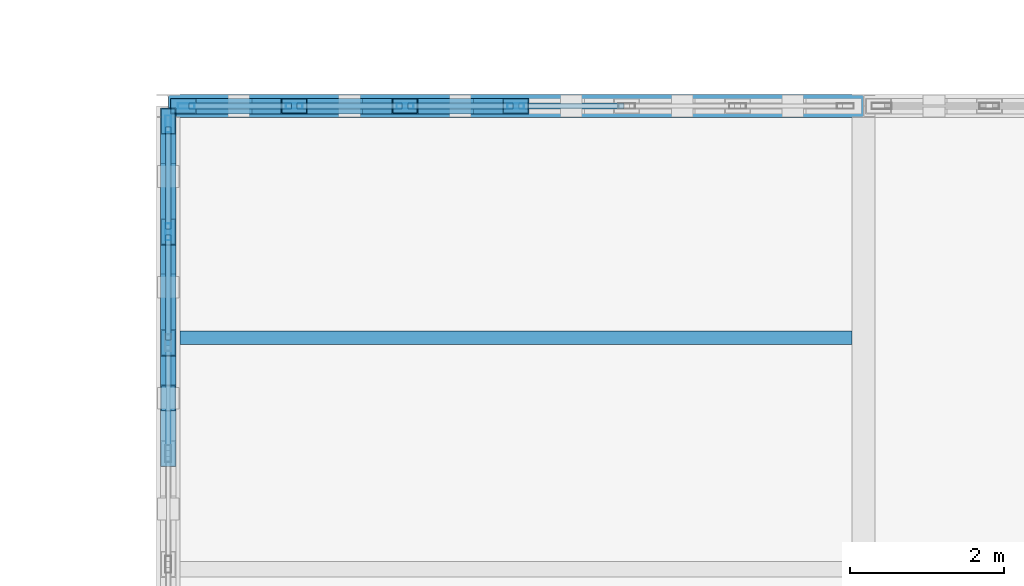
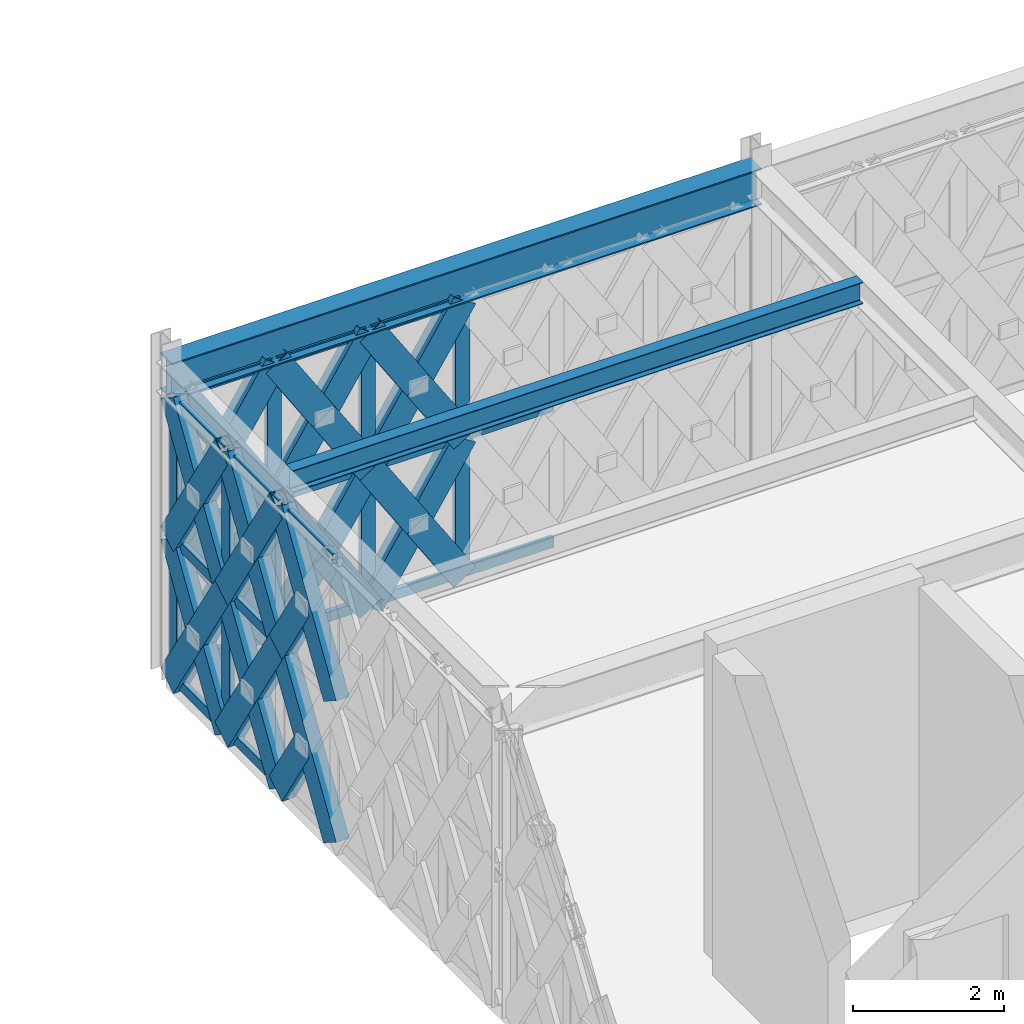
# One storey, part 83 of 155: 58 members, 2 beams, 2 elements without a shape of their own.
"""IFC4 building model written with IfcOpenShell, lengths in metres."""

from ifc_helpers import new_model, si_unit, direction, frame, origin, origin_2d, place, context, subcontext, project, spatial, hollow_rectangle, i_section, extrude, material, material_profile, profile_set, type_object, element, aggregate, save


model = new_model("IFC4")

# Units and contexts
model_context = context("Model", 3, precision=1e-05, world=origin(), true_north=direction((0.0, 1.0)))
body_context = subcontext(model_context, "Body", "Model", "MODEL_VIEW")
ifc_project = project(units=[si_unit("LENGTHUNIT", "METRE"), si_unit("AREAUNIT", "SQUARE_METRE"), si_unit("VOLUMEUNIT", "CUBIC_METRE"), si_unit("PLANEANGLEUNIT", "RADIAN"), si_unit("MASSUNIT", "GRAM", prefix="KILO")], contexts=[model_context])

# Site, building, storey
site_placement = place(None, origin())
site = spatial("IfcSite", under=ifc_project, at=site_placement, CompositionType="ELEMENT")
building_placement = place(site_placement, origin())
building = spatial("IfcBuilding", under=site, at=building_placement, Name="Haizhuo Lancet Aquarium", CompositionType="ELEMENT")
storey_placement = place(building_placement, frame((0.0, 0.0, 10.800048828125)))
storey = spatial("IfcBuildingStorey", under=building, at=storey_placement, Name="L02", CompositionType="ELEMENT", Elevation=10.800048828125)

# Beam
ifc_material_1 = material(Name="Steel S355", Category="steel")
ifc_material_profile_1 = material_profile(ifc_material_1, i_section(OverallWidth=0.300048828125, OverallDepth=0.587890625, WebThickness=0.011962890625, FlangeThickness=0.02001953125, FilletRadius=0.02587890625, at=origin_2d()), Name="HM 588x300x12x20")
ifc_profile_set_1 = profile_set([ifc_material_profile_1], Name="Steel S355")
beam_type_1 = type_object("IfcBeamType", Name="BM-ST-HM588", PredefinedType="BEAM", material=ifc_profile_set_1)
beam_1_placement = place(storey_placement, frame((36.0, 36.0, 4.755859375), z_axis=(1.0, 0.0, 0.0), x_axis=(0.0, 1.0, 0.0)))
element("IfcBeam", 1, at=beam_1_placement, inside=storey, type_object=beam_type_1, Name="L02 V7 primary girder BM-L02-V7-007", PredefinedType="BEAM", context=body_context, shape_type="SweptSolid", body=[
    extrude(i_section(OverallWidth=0.300048828125, OverallDepth=0.587890625, WebThickness=0.011962890625, FlangeThickness=0.02001953125, FilletRadius=0.02587890625, at=origin_2d()), origin(), (0.0, 0.0, 1.0), 9.0),
])

# Curtain wall, members
ifc_material_2 = material(Name="Aluminium 6063-T6", Category="aluminium")
curtain_wall_type_1 = type_object("IfcCurtainWallType", Name="CWD-8610x4460", PredefinedType="NOTDEFINED", material=ifc_material_2)
curtain_wall_1_placement = place(storey_placement, origin())
curtain_wall_1 = element("IfcCurtainWall", 2, at=curtain_wall_1_placement, inside=storey, type_object=curtain_wall_type_1, Name="L02 curtain wall CW-V7-L02-296", PredefinedType="NOTDEFINED")
ifc_material_profile_2 = material_profile(ifc_material_2, hollow_rectangle(XDim=0.074951171875, YDim=0.219970703125, WallThickness=0.0048828125, at=origin_2d()), Name="ALU-M 75x220x5")
ifc_profile_set_2 = profile_set([ifc_material_profile_2], Name="Aluminium 6063-T6")
member_type_1 = type_object("IfcMemberType", Name="CW-MUL-2", PredefinedType="MULLION", material=ifc_profile_set_2)
member_1_placement = place(storey_placement, frame((36.23291015625, 36.0, 0.0), z_axis=(0.0, 0.0, 1.0), x_axis=(0.0, 1.0, 0.0)))
member_1 = element("IfcMember", 3, at=member_1_placement, type_object=member_type_1, Name="CWD-86x44 mullion 1", PredefinedType="MULLION", context=body_context, shape_type="SweptSolid", body=[
    extrude(hollow_rectangle(XDim=0.074951171875, YDim=0.219970703125, WallThickness=0.0048828125, at=origin_2d()), origin(), (0.0, 0.0, 1.0), 4.4619140625),
])
member_2_placement = place(storey_placement, frame((37.6298828125, 36.0, 0.0), z_axis=(0.0, 0.0, 1.0), x_axis=(0.0, 1.0, 0.0)))
member_2 = element("IfcMember", 4, at=member_2_placement, type_object=member_type_1, Name="CWD-86x44 mullion 2", PredefinedType="MULLION", context=body_context, shape_type="SweptSolid", body=[
    extrude(hollow_rectangle(XDim=0.074951171875, YDim=0.219970703125, WallThickness=0.0048828125, at=origin_2d()), origin(), (0.0, 0.0, 1.0), 4.4619140625),
])
member_3_placement = place(storey_placement, frame((39.06494140625, 36.0, 0.0), z_axis=(0.0, 0.0, 1.0), x_axis=(0.0, 1.0, 0.0)))
member_3 = element("IfcMember", 5, at=member_3_placement, type_object=member_type_1, Name="CWD-86x44 mullion 3", PredefinedType="MULLION", context=body_context, shape_type="SweptSolid", body=[
    extrude(hollow_rectangle(XDim=0.074951171875, YDim=0.219970703125, WallThickness=0.0048828125, at=origin_2d()), origin(), (0.0, 0.0, 1.0), 4.4619140625),
])
member_4_placement = place(storey_placement, frame((40.5, 36.0, 0.0), z_axis=(0.0, 0.0, 1.0), x_axis=(0.0, 1.0, 0.0)))
member_4 = element("IfcMember", 6, at=member_4_placement, type_object=member_type_1, Name="CWD-86x44 mullion 4", PredefinedType="MULLION", context=body_context, shape_type="SweptSolid", body=[
    extrude(hollow_rectangle(XDim=0.074951171875, YDim=0.219970703125, WallThickness=0.0048828125, at=origin_2d()), origin(), (0.0, 0.0, 1.0), 4.4619140625),
])

curtain_wall_type_2 = type_object("IfcCurtainWallType", Name="CWD-8610x4560", PredefinedType="NOTDEFINED", material=ifc_material_2)
curtain_wall_2_placement = place(storey_placement, origin())
curtain_wall_2 = element("IfcCurtainWall", 7, at=curtain_wall_2_placement, inside=storey, type_object=curtain_wall_type_2, Name="L02 curtain wall CW-V7-L02-311", PredefinedType="NOTDEFINED")
member_5_placement = place(storey_placement, frame((36.0, 34.3701171875, 0.0), z_axis=(0.0, 0.0, 1.0), x_axis=(-1.0, 0.0, 0.0)))
member_5 = element("IfcMember", 8, at=member_5_placement, type_object=member_type_1, Name="CWD-86x45 mullion 6", PredefinedType="MULLION", context=body_context, shape_type="SweptSolid", body=[
    extrude(hollow_rectangle(XDim=0.074951171875, YDim=0.219970703125, WallThickness=0.0048828125, at=origin_2d()), origin(), (0.0, 0.0, 1.0), 4.56201171875),
])
member_6_placement = place(storey_placement, frame((36.0, 35.76708984375, 0.0), z_axis=(0.0, 0.0, 1.0), x_axis=(-1.0, 0.0, 0.0)))
member_6 = element("IfcMember", 9, at=member_6_placement, type_object=member_type_1, Name="CWD-86x45 mullion 7", PredefinedType="MULLION", context=body_context, shape_type="SweptSolid", body=[
    extrude(hollow_rectangle(XDim=0.074951171875, YDim=0.219970703125, WallThickness=0.0048828125, at=origin_2d()), origin(), (0.0, 0.0, 1.0), 4.56201171875),
])

# Member
ifc_material_profile_3 = material_profile(ifc_material_2, hollow_rectangle(XDim=0.074951171875, YDim=0.159912109375, WallThickness=0.00390625, at=origin_2d()), Name="ALU-T 75x160x4")
ifc_profile_set_3 = profile_set([ifc_material_profile_3], Name="Aluminium 6063-T6")
member_type_2 = type_object("IfcMemberType", Name="CW-TRN-2", PredefinedType="NOTDEFINED", material=ifc_profile_set_3)
member_7_placement = place(storey_placement, frame((36.27001953125, 36.0, 0.037841796875), z_axis=(1.0, 0.0, 0.0), x_axis=(0.0, 1.0, 0.0)))
member_7 = element("IfcMember", 10, at=member_7_placement, type_object=member_type_2, Name="CWD-86x44 transom 1.1", ObjectType="TRANSOM", PredefinedType="USERDEFINED", context=body_context, shape_type="SweptSolid", body=[
    extrude(hollow_rectangle(XDim=0.074951171875, YDim=0.159912109375, WallThickness=0.00390625, at=origin_2d()), origin(), (0.0, 0.0, 1.0), 1.322998046875),
])

member_8_placement = place(storey_placement, frame((36.27001953125, 36.0, 2.23095703125), z_axis=(1.0, 0.0, 0.0), x_axis=(0.0, 1.0, 0.0)))
member_8 = element("IfcMember", 11, at=member_8_placement, type_object=member_type_2, Name="CWD-86x44 transom 1.2", ObjectType="TRANSOM", PredefinedType="USERDEFINED", context=body_context, shape_type="SweptSolid", body=[
    extrude(hollow_rectangle(XDim=0.074951171875, YDim=0.159912109375, WallThickness=0.00390625, at=origin_2d()), origin(), (0.0, 0.0, 1.0), 1.322998046875),
])

member_9_placement = place(storey_placement, frame((36.27001953125, 36.0, 4.425048828125), z_axis=(1.0, 0.0, 0.0), x_axis=(0.0, 1.0, 0.0)))
member_9 = element("IfcMember", 12, at=member_9_placement, type_object=member_type_2, Name="CWD-86x44 transom 1.3", ObjectType="TRANSOM", PredefinedType="USERDEFINED", context=body_context, shape_type="SweptSolid", body=[
    extrude(hollow_rectangle(XDim=0.074951171875, YDim=0.159912109375, WallThickness=0.00390625, at=origin_2d()), origin(), (0.0, 0.0, 1.0), 1.322998046875),
])

member_10_placement = place(storey_placement, frame((37.6669921875, 36.0, 0.037841796875), z_axis=(1.0, 0.0, 0.0), x_axis=(0.0, 1.0, 0.0)))
member_10 = element("IfcMember", 13, at=member_10_placement, type_object=member_type_2, Name="CWD-86x44 transom 2.1", ObjectType="TRANSOM", PredefinedType="USERDEFINED", context=body_context, shape_type="SweptSolid", body=[
    extrude(hollow_rectangle(XDim=0.074951171875, YDim=0.159912109375, WallThickness=0.00390625, at=origin_2d()), origin(), (0.0, 0.0, 1.0), 1.361083984375),
])

member_11_placement = place(storey_placement, frame((37.6669921875, 36.0, 2.23095703125), z_axis=(1.0, 0.0, 0.0), x_axis=(0.0, 1.0, 0.0)))
member_11 = element("IfcMember", 14, at=member_11_placement, type_object=member_type_2, Name="CWD-86x44 transom 2.2", ObjectType="TRANSOM", PredefinedType="USERDEFINED", context=body_context, shape_type="SweptSolid", body=[
    extrude(hollow_rectangle(XDim=0.074951171875, YDim=0.159912109375, WallThickness=0.00390625, at=origin_2d()), origin(), (0.0, 0.0, 1.0), 1.361083984375),
])

member_12_placement = place(storey_placement, frame((37.6669921875, 36.0, 4.425048828125), z_axis=(1.0, 0.0, 0.0), x_axis=(0.0, 1.0, 0.0)))
member_12 = element("IfcMember", 15, at=member_12_placement, type_object=member_type_2, Name="CWD-86x44 transom 2.3", ObjectType="TRANSOM", PredefinedType="USERDEFINED", context=body_context, shape_type="SweptSolid", body=[
    extrude(hollow_rectangle(XDim=0.074951171875, YDim=0.159912109375, WallThickness=0.00390625, at=origin_2d()), origin(), (0.0, 0.0, 1.0), 1.361083984375),
])

member_13_placement = place(storey_placement, frame((39.10205078125, 36.0, 0.037841796875), z_axis=(1.0, 0.0, 0.0), x_axis=(0.0, 1.0, 0.0)))
member_13 = element("IfcMember", 16, at=member_13_placement, type_object=member_type_2, Name="CWD-86x44 transom 3.1", ObjectType="TRANSOM", PredefinedType="USERDEFINED", context=body_context, shape_type="SweptSolid", body=[
    extrude(hollow_rectangle(XDim=0.074951171875, YDim=0.159912109375, WallThickness=0.00390625, at=origin_2d()), origin(), (0.0, 0.0, 1.0), 1.35986328125),
])

member_14_placement = place(storey_placement, frame((39.10205078125, 36.0, 2.23095703125), z_axis=(1.0, 0.0, 0.0), x_axis=(0.0, 1.0, 0.0)))
member_14 = element("IfcMember", 17, at=member_14_placement, type_object=member_type_2, Name="CWD-86x44 transom 3.2", ObjectType="TRANSOM", PredefinedType="USERDEFINED", context=body_context, shape_type="SweptSolid", body=[
    extrude(hollow_rectangle(XDim=0.074951171875, YDim=0.159912109375, WallThickness=0.00390625, at=origin_2d()), origin(), (0.0, 0.0, 1.0), 1.35986328125),
])

member_15_placement = place(storey_placement, frame((39.10205078125, 36.0, 4.425048828125), z_axis=(1.0, 0.0, 0.0), x_axis=(0.0, 1.0, 0.0)))
member_15 = element("IfcMember", 18, at=member_15_placement, type_object=member_type_2, Name="CWD-86x44 transom 3.3", ObjectType="TRANSOM", PredefinedType="USERDEFINED", context=body_context, shape_type="SweptSolid", body=[
    extrude(hollow_rectangle(XDim=0.074951171875, YDim=0.159912109375, WallThickness=0.00390625, at=origin_2d()), origin(), (0.0, 0.0, 1.0), 1.35986328125),
])

member_16_placement = place(storey_placement, frame((40.5380859375, 36.0, 0.037841796875), z_axis=(1.0, 0.0, 0.0), x_axis=(0.0, 1.0, 0.0)))
member_16 = element("IfcMember", 19, at=member_16_placement, type_object=member_type_2, Name="CWD-86x44 transom 4.1", ObjectType="TRANSOM", PredefinedType="USERDEFINED", context=body_context, shape_type="SweptSolid", body=[
    extrude(hollow_rectangle(XDim=0.074951171875, YDim=0.159912109375, WallThickness=0.00390625, at=origin_2d()), origin(), (0.0, 0.0, 1.0), 1.35986328125),
])

member_17_placement = place(storey_placement, frame((40.5380859375, 36.0, 2.23095703125), z_axis=(1.0, 0.0, 0.0), x_axis=(0.0, 1.0, 0.0)))
member_17 = element("IfcMember", 20, at=member_17_placement, type_object=member_type_2, Name="CWD-86x44 transom 4.2", ObjectType="TRANSOM", PredefinedType="USERDEFINED", context=body_context, shape_type="SweptSolid", body=[
    extrude(hollow_rectangle(XDim=0.074951171875, YDim=0.159912109375, WallThickness=0.00390625, at=origin_2d()), origin(), (0.0, 0.0, 1.0), 1.35986328125),
])

aggregate(curtain_wall_1, [member_1, member_2, member_3, member_4, member_7, member_8, member_9, member_10, member_11, member_12, member_13, member_14, member_15, member_16, member_17])

member_18_placement = place(storey_placement, frame((36.0, 31.5380859375, 4.52490234375), z_axis=(0.0, 1.0, 0.0), x_axis=(-1.0, 0.0, 0.0)))
member_18 = element("IfcMember", 21, at=member_18_placement, type_object=member_type_2, Name="CWD-86x45 transom 4.3", ObjectType="TRANSOM", PredefinedType="USERDEFINED", context=body_context, shape_type="SweptSolid", body=[
    extrude(hollow_rectangle(XDim=0.074951171875, YDim=0.159912109375, WallThickness=0.00390625, at=origin_2d()), origin(), (0.0, 0.0, 1.0), 1.35986328125),
])

member_19_placement = place(storey_placement, frame((36.0, 32.971923828125, 0.037841796875), z_axis=(0.0, 1.0, 0.0), x_axis=(-1.0, 0.0, 0.0)))
member_19 = element("IfcMember", 22, at=member_19_placement, type_object=member_type_2, Name="CWD-86x45 transom 5.1", ObjectType="TRANSOM", PredefinedType="USERDEFINED", context=body_context, shape_type="SweptSolid", body=[
    extrude(hollow_rectangle(XDim=0.074951171875, YDim=0.159912109375, WallThickness=0.00390625, at=origin_2d()), origin(), (0.0, 0.0, 1.0), 1.360107421875),
])

member_20_placement = place(storey_placement, frame((36.0, 32.971923828125, 2.281005859375), z_axis=(0.0, 1.0, 0.0), x_axis=(-1.0, 0.0, 0.0)))
member_20 = element("IfcMember", 23, at=member_20_placement, type_object=member_type_2, Name="CWD-86x45 transom 5.2", ObjectType="TRANSOM", PredefinedType="USERDEFINED", context=body_context, shape_type="SweptSolid", body=[
    extrude(hollow_rectangle(XDim=0.074951171875, YDim=0.159912109375, WallThickness=0.00390625, at=origin_2d()), origin(), (0.0, 0.0, 1.0), 1.360107421875),
])

member_21_placement = place(storey_placement, frame((36.0, 32.971923828125, 4.52490234375), z_axis=(0.0, 1.0, 0.0), x_axis=(-1.0, 0.0, 0.0)))
member_21 = element("IfcMember", 24, at=member_21_placement, type_object=member_type_2, Name="CWD-86x45 transom 5.3", ObjectType="TRANSOM", PredefinedType="USERDEFINED", context=body_context, shape_type="SweptSolid", body=[
    extrude(hollow_rectangle(XDim=0.074951171875, YDim=0.159912109375, WallThickness=0.00390625, at=origin_2d()), origin(), (0.0, 0.0, 1.0), 1.360107421875),
])

member_22_placement = place(storey_placement, frame((36.0, 34.406982421875, 0.037841796875), z_axis=(0.0, 1.0, 0.0), x_axis=(-1.0, 0.0, 0.0)))
member_22 = element("IfcMember", 25, at=member_22_placement, type_object=member_type_2, Name="CWD-86x45 transom 6.1", ObjectType="TRANSOM", PredefinedType="USERDEFINED", context=body_context, shape_type="SweptSolid", body=[
    extrude(hollow_rectangle(XDim=0.074951171875, YDim=0.159912109375, WallThickness=0.00390625, at=origin_2d()), origin(), (0.0, 0.0, 1.0), 1.322998046875),
])

member_23_placement = place(storey_placement, frame((36.0, 34.406982421875, 2.281005859375), z_axis=(0.0, 1.0, 0.0), x_axis=(-1.0, 0.0, 0.0)))
member_23 = element("IfcMember", 26, at=member_23_placement, type_object=member_type_2, Name="CWD-86x45 transom 6.2", ObjectType="TRANSOM", PredefinedType="USERDEFINED", context=body_context, shape_type="SweptSolid", body=[
    extrude(hollow_rectangle(XDim=0.074951171875, YDim=0.159912109375, WallThickness=0.00390625, at=origin_2d()), origin(), (0.0, 0.0, 1.0), 1.322998046875),
])

member_24_placement = place(storey_placement, frame((36.0, 34.406982421875, 4.52490234375), z_axis=(0.0, 1.0, 0.0), x_axis=(-1.0, 0.0, 0.0)))
member_24 = element("IfcMember", 27, at=member_24_placement, type_object=member_type_2, Name="CWD-86x45 transom 6.3", ObjectType="TRANSOM", PredefinedType="USERDEFINED", context=body_context, shape_type="SweptSolid", body=[
    extrude(hollow_rectangle(XDim=0.074951171875, YDim=0.159912109375, WallThickness=0.00390625, at=origin_2d()), origin(), (0.0, 0.0, 1.0), 1.322998046875),
])

aggregate(curtain_wall_2, [member_5, member_6, member_18, member_19, member_20, member_21, member_22, member_23, member_24])

# Beam
ifc_material_profile_4 = material_profile(ifc_material_1, i_section(OverallWidth=0.175048828125, OverallDepth=0.35009765625, WebThickness=0.007080078125, FlangeThickness=0.010986328125, FilletRadius=0.013916015625, at=origin_2d()), Name="HN 350x175x7x11")
ifc_profile_set_4 = profile_set([ifc_material_profile_4], Name="Steel S355")
beam_type_2 = type_object("IfcBeamType", Name="JST-ST-HN350", PredefinedType="JOIST", material=ifc_profile_set_4)
beam_2_placement = place(storey_placement, frame((36.14990234375, 33.0, 4.875), z_axis=(1.0, 0.0, 0.0), x_axis=(0.0, 1.0, 0.0)))
element("IfcBeam", 28, at=beam_2_placement, inside=storey, type_object=beam_type_2, Name="L02 V7 secondary floor joist 5", PredefinedType="JOIST", context=body_context, shape_type="SweptSolid", body=[
    extrude(i_section(OverallWidth=0.175048828125, OverallDepth=0.35009765625, WebThickness=0.007080078125, FlangeThickness=0.010986328125, FilletRadius=0.013916015625, at=origin_2d()), origin(), (0.0, 0.0, 1.0), 8.7001953125),
])

# Members
ifc_material_profile_5 = material_profile(ifc_material_1, hollow_rectangle(XDim=0.199951171875, YDim=0.39990234375, WallThickness=0.011962890625, at=origin_2d()), Name="RHS 200x400x12")
ifc_profile_set_5 = profile_set([ifc_material_profile_5], Name="Steel S355")
member_type_3 = type_object("IfcMemberType", Name="MEM-LB-RHS200x400", PredefinedType="BRACE", material=ifc_profile_set_5)
member_25_placement = place(storey_placement, frame((36.195068359375, 36.0, 0.0), z_axis=(0.540925048726, 0.0, 0.841070800623), x_axis=(0.0, 1.0, 0.0)))
element("IfcMember", 29, at=member_25_placement, inside=storey, type_object=member_type_3, Name="Gothic lancet continuous diagonal brace CW-V7-L02-296 1A", PredefinedType="BRACE", context=body_context, shape_type="SweptSolid", body=[
    extrude(hollow_rectangle(XDim=0.199951171875, YDim=0.39990234375, WallThickness=0.011962890625, at=origin_2d()), origin(), (0.0, 0.0, 1.0), 2.652587890625),
])
member_26_placement = place(storey_placement, frame((37.6298828125, 36.0, 0.0), z_axis=(-0.540431938152, 0.0, 0.841387734772), x_axis=(0.0, -1.0, 0.0)))
element("IfcMember", 30, at=member_26_placement, inside=storey, type_object=member_type_3, Name="Gothic lancet split diagonal brace CW-V7-L02-296 1B1", PredefinedType="BRACE", context=body_context, shape_type="SweptSolid", body=[
    extrude(hollow_rectangle(XDim=0.199951171875, YDim=0.39990234375, WallThickness=0.011962890625, at=origin_2d()), origin(), (0.0, 0.0, 1.0), 1.326416015625),
])
member_27_placement = place(storey_placement, frame((36.9130859375, 36.0, 1.115966796875), z_axis=(-0.541418033285, 0.0, 0.840753538936), x_axis=(0.0, -1.0, 0.0)))
element("IfcMember", 31, at=member_27_placement, inside=storey, type_object=member_type_3, Name="Gothic lancet split diagonal brace CW-V7-L02-296 1B2", PredefinedType="BRACE", context=body_context, shape_type="SweptSolid", body=[
    extrude(hollow_rectangle(XDim=0.199951171875, YDim=0.39990234375, WallThickness=0.011962890625, at=origin_2d()), origin(), (0.0, 0.0, 1.0), 1.326171875),
])
member_28_placement = place(storey_placement, frame((36.195068359375, 36.0, 2.23095703125), z_axis=(0.540925048726, 0.0, 0.841070800623), x_axis=(0.0, 1.0, 0.0)))
element("IfcMember", 32, at=member_28_placement, inside=storey, type_object=member_type_3, Name="Gothic lancet continuous diagonal brace CW-V7-L02-296 2A", PredefinedType="BRACE", context=body_context, shape_type="SweptSolid", body=[
    extrude(hollow_rectangle(XDim=0.199951171875, YDim=0.39990234375, WallThickness=0.011962890625, at=origin_2d()), origin(), (0.0, 0.0, 1.0), 2.652587890625),
])
member_29_placement = place(storey_placement, frame((37.6298828125, 36.0, 2.23095703125), z_axis=(-0.540766900265, 0.0, 0.841172490978), x_axis=(0.0, -1.0, 0.0)))
element("IfcMember", 33, at=member_29_placement, inside=storey, type_object=member_type_3, Name="Gothic lancet split diagonal brace CW-V7-L02-296 2B1", PredefinedType="BRACE", context=body_context, shape_type="SweptSolid", body=[
    extrude(hollow_rectangle(XDim=0.199951171875, YDim=0.39990234375, WallThickness=0.011962890625, at=origin_2d()), origin(), (0.0, 0.0, 1.0), 1.325439453125),
])
member_30_placement = place(storey_placement, frame((36.9130859375, 36.0, 3.345947265625), z_axis=(-0.541083001516, 0.0, 0.840969194127), x_axis=(0.0, -1.0, 0.0)))
element("IfcMember", 34, at=member_30_placement, inside=storey, type_object=member_type_3, Name="Gothic lancet split diagonal brace CW-V7-L02-296 2B2", PredefinedType="BRACE", context=body_context, shape_type="SweptSolid", body=[
    extrude(hollow_rectangle(XDim=0.199951171875, YDim=0.39990234375, WallThickness=0.011962890625, at=origin_2d()), origin(), (0.0, 0.0, 1.0), 1.326904296875),
])
member_31_placement = place(storey_placement, frame((37.6298828125, 36.0, 0.0), z_axis=(0.540990153687, 0.0, 0.841028925551), x_axis=(0.0, 1.0, 0.0)))
element("IfcMember", 35, at=member_31_placement, inside=storey, type_object=member_type_3, Name="Gothic lancet continuous diagonal brace CW-V7-L02-296 3A", PredefinedType="BRACE", context=body_context, shape_type="SweptSolid", body=[
    extrude(hollow_rectangle(XDim=0.199951171875, YDim=0.39990234375, WallThickness=0.011962890625, at=origin_2d()), origin(), (0.0, 0.0, 1.0), 2.652587890625),
])
member_32_placement = place(storey_placement, frame((39.06494140625, 36.0, 0.0), z_axis=(-0.541083001516, 0.0, 0.840969194127), x_axis=(0.0, -1.0, 0.0)))
element("IfcMember", 36, at=member_32_placement, inside=storey, type_object=member_type_3, Name="Gothic lancet split diagonal brace CW-V7-L02-296 3B1", PredefinedType="BRACE", context=body_context, shape_type="SweptSolid", body=[
    extrude(hollow_rectangle(XDim=0.199951171875, YDim=0.39990234375, WallThickness=0.011962890625, at=origin_2d()), origin(), (0.0, 0.0, 1.0), 1.326904296875),
])
member_33_placement = place(storey_placement, frame((38.346923828125, 36.0, 1.115966796875), z_axis=(-0.540897204727, 0.0, 0.841088707521), x_axis=(0.0, -1.0, 0.0)))
element("IfcMember", 37, at=member_33_placement, inside=storey, type_object=member_type_3, Name="Gothic lancet split diagonal brace CW-V7-L02-296 3B2", PredefinedType="BRACE", context=body_context, shape_type="SweptSolid", body=[
    extrude(hollow_rectangle(XDim=0.199951171875, YDim=0.39990234375, WallThickness=0.011962890625, at=origin_2d()), origin(), (0.0, 0.0, 1.0), 1.32568359375),
])
member_34_placement = place(storey_placement, frame((37.6298828125, 36.0, 2.23095703125), z_axis=(0.540990153687, 0.0, 0.841028925551), x_axis=(0.0, 1.0, 0.0)))
element("IfcMember", 38, at=member_34_placement, inside=storey, type_object=member_type_3, Name="Gothic lancet continuous diagonal brace CW-V7-L02-296 4A", PredefinedType="BRACE", context=body_context, shape_type="SweptSolid", body=[
    extrude(hollow_rectangle(XDim=0.199951171875, YDim=0.39990234375, WallThickness=0.011962890625, at=origin_2d()), origin(), (0.0, 0.0, 1.0), 2.652587890625),
])
member_35_placement = place(storey_placement, frame((39.06494140625, 36.0, 2.23095703125), z_axis=(-0.541418033285, 0.0, 0.840753538936), x_axis=(0.0, -1.0, 0.0)))
element("IfcMember", 39, at=member_35_placement, inside=storey, type_object=member_type_3, Name="Gothic lancet split diagonal brace CW-V7-L02-296 4B1", PredefinedType="BRACE", context=body_context, shape_type="SweptSolid", body=[
    extrude(hollow_rectangle(XDim=0.199951171875, YDim=0.39990234375, WallThickness=0.011962890625, at=origin_2d()), origin(), (0.0, 0.0, 1.0), 1.326171875),
])
member_36_placement = place(storey_placement, frame((38.346923828125, 36.0, 3.345947265625), z_axis=(-0.540562228578, 0.0, 0.84130403365), x_axis=(0.0, -1.0, 0.0)))
element("IfcMember", 40, at=member_36_placement, inside=storey, type_object=member_type_3, Name="Gothic lancet split diagonal brace CW-V7-L02-296 4B2", PredefinedType="BRACE", context=body_context, shape_type="SweptSolid", body=[
    extrude(hollow_rectangle(XDim=0.199951171875, YDim=0.39990234375, WallThickness=0.011962890625, at=origin_2d()), origin(), (0.0, 0.0, 1.0), 1.326416015625),
])
member_37_placement = place(storey_placement, frame((39.06494140625, 36.0, 0.0), z_axis=(0.540990153687, 0.0, 0.841028925551), x_axis=(0.0, 1.0, 0.0)))
element("IfcMember", 41, at=member_37_placement, inside=storey, type_object=member_type_3, Name="Gothic lancet continuous diagonal brace CW-V7-L02-296 5A", PredefinedType="BRACE", context=body_context, shape_type="SweptSolid", body=[
    extrude(hollow_rectangle(XDim=0.199951171875, YDim=0.39990234375, WallThickness=0.011962890625, at=origin_2d()), origin(), (0.0, 0.0, 1.0), 2.652587890625),
])
member_38_placement = place(storey_placement, frame((40.5, 36.0, 0.0), z_axis=(-0.541083001516, 0.0, 0.840969194127), x_axis=(0.0, -1.0, 0.0)))
element("IfcMember", 42, at=member_38_placement, inside=storey, type_object=member_type_3, Name="Gothic lancet split diagonal brace CW-V7-L02-296 5B1", PredefinedType="BRACE", context=body_context, shape_type="SweptSolid", body=[
    extrude(hollow_rectangle(XDim=0.199951171875, YDim=0.39990234375, WallThickness=0.011962890625, at=origin_2d()), origin(), (0.0, 0.0, 1.0), 1.326904296875),
])
member_39_placement = place(storey_placement, frame((39.781982421875, 36.0, 1.115966796875), z_axis=(-0.540897204727, 0.0, 0.841088707521), x_axis=(0.0, -1.0, 0.0)))
element("IfcMember", 43, at=member_39_placement, inside=storey, type_object=member_type_3, Name="Gothic lancet split diagonal brace CW-V7-L02-296 5B2", PredefinedType="BRACE", context=body_context, shape_type="SweptSolid", body=[
    extrude(hollow_rectangle(XDim=0.199951171875, YDim=0.39990234375, WallThickness=0.011962890625, at=origin_2d()), origin(), (0.0, 0.0, 1.0), 1.32568359375),
])
member_40_placement = place(storey_placement, frame((39.06494140625, 36.0, 2.23095703125), z_axis=(0.540990153687, 0.0, 0.841028925551), x_axis=(0.0, 1.0, 0.0)))
element("IfcMember", 44, at=member_40_placement, inside=storey, type_object=member_type_3, Name="Gothic lancet continuous diagonal brace CW-V7-L02-296 6A", PredefinedType="BRACE", context=body_context, shape_type="SweptSolid", body=[
    extrude(hollow_rectangle(XDim=0.199951171875, YDim=0.39990234375, WallThickness=0.011962890625, at=origin_2d()), origin(), (0.0, 0.0, 1.0), 2.652587890625),
])
member_41_placement = place(storey_placement, frame((40.5, 36.0, 2.23095703125), z_axis=(-0.541418033285, 0.0, 0.840753538936), x_axis=(0.0, -1.0, 0.0)))
element("IfcMember", 45, at=member_41_placement, inside=storey, type_object=member_type_3, Name="Gothic lancet split diagonal brace CW-V7-L02-296 6B1", PredefinedType="BRACE", context=body_context, shape_type="SweptSolid", body=[
    extrude(hollow_rectangle(XDim=0.199951171875, YDim=0.39990234375, WallThickness=0.011962890625, at=origin_2d()), origin(), (0.0, 0.0, 1.0), 1.326171875),
])
member_42_placement = place(storey_placement, frame((39.781982421875, 36.0, 3.345947265625), z_axis=(-0.540562228578, 0.0, 0.84130403365), x_axis=(0.0, -1.0, 0.0)))
element("IfcMember", 46, at=member_42_placement, inside=storey, type_object=member_type_3, Name="Gothic lancet split diagonal brace CW-V7-L02-296 6B2", PredefinedType="BRACE", context=body_context, shape_type="SweptSolid", body=[
    extrude(hollow_rectangle(XDim=0.199951171875, YDim=0.39990234375, WallThickness=0.011962890625, at=origin_2d()), origin(), (0.0, 0.0, 1.0), 1.326416015625),
])
member_43_placement = place(storey_placement, frame((36.0, 31.5, 0.0), z_axis=(0.0, 0.532512886885, 0.846421895571), x_axis=(-1.0, 0.0, 0.0)))
element("IfcMember", 47, at=member_43_placement, inside=storey, type_object=member_type_3, Name="Gothic lancet continuous diagonal brace CW-V7-L02-311 7A", PredefinedType="BRACE", context=body_context, shape_type="SweptSolid", body=[
    extrude(hollow_rectangle(XDim=0.199951171875, YDim=0.39990234375, WallThickness=0.011962890625, at=origin_2d()), origin(), (0.0, 0.0, 1.0), 2.69482421875),
])
member_44_placement = place(storey_placement, frame((36.0, 32.93505859375, 0.0), z_axis=(0.0, -0.532130728354, 0.846662204153), x_axis=(1.0, 0.0, 0.0)))
element("IfcMember", 48, at=member_44_placement, inside=storey, type_object=member_type_3, Name="Gothic lancet split diagonal brace CW-V7-L02-311 7B1", PredefinedType="BRACE", context=body_context, shape_type="SweptSolid", body=[
    extrude(hollow_rectangle(XDim=0.199951171875, YDim=0.39990234375, WallThickness=0.011962890625, at=origin_2d()), origin(), (0.0, 0.0, 1.0), 1.347412109375),
])
member_45_placement = place(storey_placement, frame((36.0, 31.5, 2.281005859375), z_axis=(0.0, 0.532512886885, 0.846421895571), x_axis=(-1.0, 0.0, 0.0)))
element("IfcMember", 49, at=member_45_placement, inside=storey, type_object=member_type_3, Name="Gothic lancet continuous diagonal brace CW-V7-L02-311 8A", PredefinedType="BRACE", context=body_context, shape_type="SweptSolid", body=[
    extrude(hollow_rectangle(XDim=0.199951171875, YDim=0.39990234375, WallThickness=0.011962890625, at=origin_2d()), origin(), (0.0, 0.0, 1.0), 2.69482421875),
])
member_46_placement = place(storey_placement, frame((36.0, 32.93505859375, 2.281005859375), z_axis=(0.0, -0.532457404, 0.846456799208), x_axis=(1.0, 0.0, 0.0)))
element("IfcMember", 50, at=member_46_placement, inside=storey, type_object=member_type_3, Name="Gothic lancet split diagonal brace CW-V7-L02-311 8B1", PredefinedType="BRACE", context=body_context, shape_type="SweptSolid", body=[
    extrude(hollow_rectangle(XDim=0.199951171875, YDim=0.39990234375, WallThickness=0.011962890625, at=origin_2d()), origin(), (0.0, 0.0, 1.0), 1.3466796875),
])
member_47_placement = place(storey_placement, frame((36.0, 32.93505859375, 0.0), z_axis=(0.0, 0.532512886885, 0.846421895571), x_axis=(-1.0, 0.0, 0.0)))
element("IfcMember", 51, at=member_47_placement, inside=storey, type_object=member_type_3, Name="Gothic lancet continuous diagonal brace CW-V7-L02-311 9A", PredefinedType="BRACE", context=body_context, shape_type="SweptSolid", body=[
    extrude(hollow_rectangle(XDim=0.199951171875, YDim=0.39990234375, WallThickness=0.011962890625, at=origin_2d()), origin(), (0.0, 0.0, 1.0), 2.69482421875),
])
for number, where, z_axis, x_axis, name in (
    (52, (36.0, 34.3701171875, 0.0), (0.0, -0.532130728354, 0.846662204153), (1.0, 0.0, 0.0), "Gothic lancet split diagonal brace CW-V7-L02-311 9B1"),
    (53, (36.0, 33.653076171875, 1.140869140625), (0.0, -0.532894965217, 0.846181396656), (1.0, 0.0, 0.0), "Gothic lancet split diagonal brace CW-V7-L02-311 9B2"),
):
    element("IfcMember", number, at=place(storey_placement, frame(where, z_axis=z_axis, x_axis=x_axis)), inside=storey, type_object=member_type_3, Name=name, PredefinedType="BRACE", context=body_context, shape_type="SweptSolid", body=[
        extrude(hollow_rectangle(XDim=0.199951171875, YDim=0.39990234375, WallThickness=0.011962890625, at=origin_2d()), origin(), (0.0, 0.0, 1.0), 1.347412109375),
    ])
member_48_placement = place(storey_placement, frame((36.0, 32.93505859375, 2.281005859375), z_axis=(0.0, 0.532512886885, 0.846421895571), x_axis=(-1.0, 0.0, 0.0)))
element("IfcMember", 54, at=member_48_placement, inside=storey, type_object=member_type_3, Name="Gothic lancet continuous diagonal brace CW-V7-L02-311 10A", PredefinedType="BRACE", context=body_context, shape_type="SweptSolid", body=[
    extrude(hollow_rectangle(XDim=0.199951171875, YDim=0.39990234375, WallThickness=0.011962890625, at=origin_2d()), origin(), (0.0, 0.0, 1.0), 2.69482421875),
])
member_49_placement = place(storey_placement, frame((36.0, 34.3701171875, 2.281005859375), z_axis=(0.0, -0.532457404, 0.846456799208), x_axis=(1.0, 0.0, 0.0)))
element("IfcMember", 55, at=member_49_placement, inside=storey, type_object=member_type_3, Name="Gothic lancet split diagonal brace CW-V7-L02-311 10B1", PredefinedType="BRACE", context=body_context, shape_type="SweptSolid", body=[
    extrude(hollow_rectangle(XDim=0.199951171875, YDim=0.39990234375, WallThickness=0.011962890625, at=origin_2d()), origin(), (0.0, 0.0, 1.0), 1.3466796875),
])
member_50_placement = place(storey_placement, frame((36.0, 33.653076171875, 3.4208984375), z_axis=(0.0, -0.532568303565, 0.846387028515), x_axis=(1.0, 0.0, 0.0)))
element("IfcMember", 56, at=member_50_placement, inside=storey, type_object=member_type_3, Name="Gothic lancet split diagonal brace CW-V7-L02-311 10B2", PredefinedType="BRACE", context=body_context, shape_type="SweptSolid", body=[
    extrude(hollow_rectangle(XDim=0.199951171875, YDim=0.39990234375, WallThickness=0.011962890625, at=origin_2d()), origin(), (0.0, 0.0, 1.0), 1.34814453125),
])
member_51_placement = place(storey_placement, frame((36.0, 34.3701171875, 0.0), z_axis=(0.0, 0.532447977761, 0.846462728641), x_axis=(-1.0, 0.0, 0.0)))
element("IfcMember", 57, at=member_51_placement, inside=storey, type_object=member_type_3, Name="Gothic lancet continuous diagonal brace CW-V7-L02-311 11A", PredefinedType="BRACE", context=body_context, shape_type="SweptSolid", body=[
    extrude(hollow_rectangle(XDim=0.199951171875, YDim=0.39990234375, WallThickness=0.011962890625, at=origin_2d()), origin(), (0.0, 0.0, 1.0), 2.69482421875),
])
member_52_placement = place(storey_placement, frame((36.0, 35.804931640625, 0.0), z_axis=(0.0, -0.532649938865, 0.846335656006), x_axis=(1.0, 0.0, 0.0)))
element("IfcMember", 58, at=member_52_placement, inside=storey, type_object=member_type_3, Name="Gothic lancet split diagonal brace CW-V7-L02-311 11B1", PredefinedType="BRACE", context=body_context, shape_type="SweptSolid", body=[
    extrude(hollow_rectangle(XDim=0.199951171875, YDim=0.39990234375, WallThickness=0.011962890625, at=origin_2d()), origin(), (0.0, 0.0, 1.0), 1.347900390625),
])
member_53_placement = place(storey_placement, frame((36.0, 35.0869140625, 1.140869140625), z_axis=(0.0, -0.532245795857, 0.846589872838), x_axis=(1.0, 0.0, 0.0)))
element("IfcMember", 59, at=member_53_placement, inside=storey, type_object=member_type_3, Name="Gothic lancet split diagonal brace CW-V7-L02-311 11B2", PredefinedType="BRACE", context=body_context, shape_type="SweptSolid", body=[
    extrude(hollow_rectangle(XDim=0.199951171875, YDim=0.39990234375, WallThickness=0.011962890625, at=origin_2d()), origin(), (0.0, 0.0, 1.0), 1.3466796875),
])
member_54_placement = place(storey_placement, frame((36.0, 34.3701171875, 2.281005859375), z_axis=(0.0, 0.532447977761, 0.846462728641), x_axis=(-1.0, 0.0, 0.0)))
element("IfcMember", 60, at=member_54_placement, inside=storey, type_object=member_type_3, Name="Gothic lancet continuous diagonal brace CW-V7-L02-311 12A", PredefinedType="BRACE", context=body_context, shape_type="SweptSolid", body=[
    extrude(hollow_rectangle(XDim=0.199951171875, YDim=0.39990234375, WallThickness=0.011962890625, at=origin_2d()), origin(), (0.0, 0.0, 1.0), 2.69482421875),
])
member_55_placement = place(storey_placement, frame((36.0, 35.804931640625, 2.281005859375), z_axis=(0.0, -0.532976680835, 0.846129929554), x_axis=(1.0, 0.0, 0.0)))
element("IfcMember", 61, at=member_55_placement, inside=storey, type_object=member_type_3, Name="Gothic lancet split diagonal brace CW-V7-L02-311 12B1", PredefinedType="BRACE", context=body_context, shape_type="SweptSolid", body=[
    extrude(hollow_rectangle(XDim=0.199951171875, YDim=0.39990234375, WallThickness=0.011962890625, at=origin_2d()), origin(), (0.0, 0.0, 1.0), 1.34716796875),
])
member_56_placement = place(storey_placement, frame((36.0, 35.0869140625, 3.4208984375), z_axis=(0.0, -0.531919217362, 0.846795102844), x_axis=(1.0, 0.0, 0.0)))
element("IfcMember", 62, at=member_56_placement, inside=storey, type_object=member_type_3, Name="Gothic lancet split diagonal brace CW-V7-L02-311 12B2", PredefinedType="BRACE", context=body_context, shape_type="SweptSolid", body=[
    extrude(hollow_rectangle(XDim=0.199951171875, YDim=0.39990234375, WallThickness=0.011962890625, at=origin_2d()), origin(), (0.0, 0.0, 1.0), 1.34765625),
])

save(model, "model.ifc")
